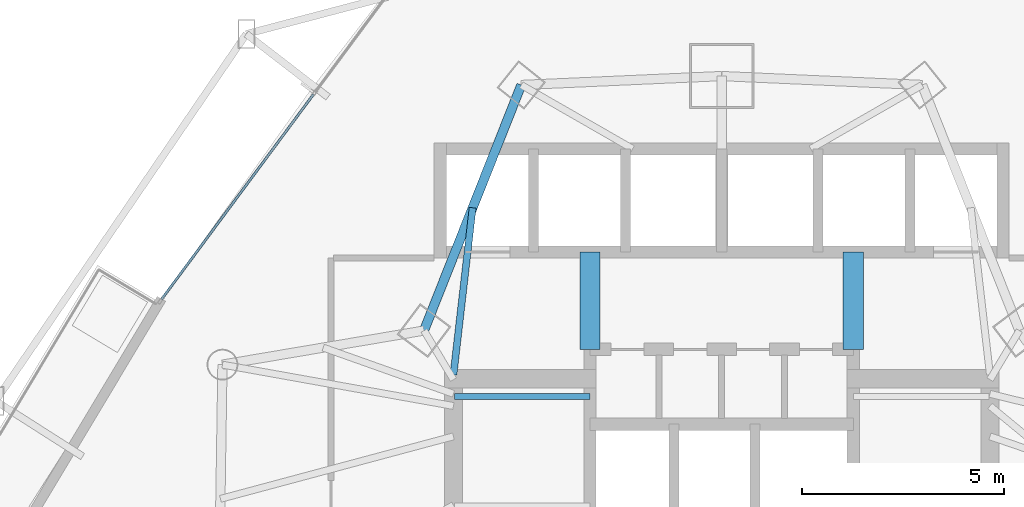
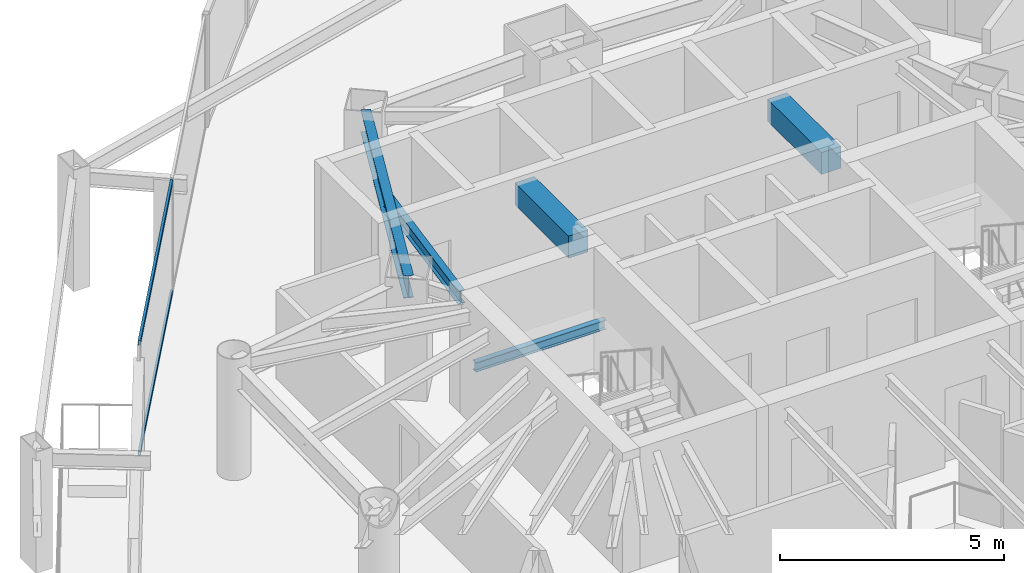
# One storey, part 24 of 38: 5 beams, 2 members, 1 element without a shape of its own.
"""IFC4 building model written with IfcOpenShell, lengths in metres."""

import ifcopenshell
import ifcopenshell.guid

model = None  # the IFC model being written
_history = None  # IfcOwnerHistory: only IFC2X3 demands one
_inside = {}  # id of a spatial element -> (the spatial element, [elements in it])
_under = {}  # id of a project, library or spatial element -> (it, [spatial elements below it])
_declared = {}  # id of a project -> (the project, [libraries it declares])
_typed = {}  # id of a type object -> (the type object, [elements of that type])
_made_of = {}  # id of a material, layer set ... -> (it, [elements and type objects made of it])


def new_model(schema):
    """Start an empty IFC model of exactly this schema.

    Asked for "IFC4X3", IfcOpenShell would pick the latest addendum, in which some entities
    have other attributes; the version numbers below select the first issue.
    IFC2X3 requires an IfcOwnerHistory on every rooted entity: one is made here for all.
    """
    global model, _history
    if schema == "IFC4X3":
        model = ifcopenshell.file(schema_version=(4, 3, 0, 0))
    else:
        model = ifcopenshell.file(schema=schema)
    _inside.clear()
    _under.clear()
    _declared.clear()
    _typed.clear()
    _made_of.clear()
    _history = None
    if model.schema == "IFC2X3":
        org = make("IfcOrganization", Name="unknown")
        user = make(
            "IfcPersonAndOrganization",
            ThePerson=make("IfcPerson", FamilyName="unknown"),
            TheOrganization=org,
        )
        app = make(
            "IfcApplication",
            ApplicationDeveloper=org,
            Version="unknown",
            ApplicationFullName="unknown",
            ApplicationIdentifier="unknown",
        )
        _history = make(
            "IfcOwnerHistory",
            OwningUser=user,
            OwningApplication=app,
            ChangeAction="ADDED",
            CreationDate=0,
        )
    return model


def make(cls, **values):
    """One entity of the class cls with the attributes given. An attribute that is None is left unset."""
    return model.create_entity(
        cls, **{name: value for name, value in values.items() if value is not None}
    )


def rooted(cls, **values):
    """An entity with a GlobalId (a new one), such as an element, a storey or a relation."""
    return make(cls, GlobalId=ifcopenshell.guid.new(), OwnerHistory=_history, **values)


def si_unit(unit_type, name, prefix=None):
    """IfcSIUnit, for example si_unit("LENGTHUNIT", "METRE", prefix="MILLI")."""
    return make("IfcSIUnit", UnitType=unit_type, Prefix=prefix, Name=name)


def assignment(units):
    """IfcUnitAssignment: the units of a project."""
    return None if units is None else make("IfcUnitAssignment", Units=units)


def point(xyz):
    """IfcCartesianPoint."""
    return None if xyz is None else make("IfcCartesianPoint", Coordinates=xyz)


def direction(xyz):
    """IfcDirection."""
    return None if xyz is None else make("IfcDirection", DirectionRatios=xyz)


def frame(location, z_axis=None, x_axis=None):
    """IfcAxis2Placement3D, a coordinate frame: its origin and axes. An axis left out is left unset."""
    return make(
        "IfcAxis2Placement3D",
        Location=point(location),
        Axis=direction(z_axis),
        RefDirection=direction(x_axis),
    )


def frame_2d(location, x_axis=None):
    """IfcAxis2Placement2D, a coordinate frame in the plane: its origin and x axis."""
    return make(
        "IfcAxis2Placement2D", Location=point(location), RefDirection=direction(x_axis)
    )


def origin():
    """The frame at (0, 0, 0) with its axes left unset."""
    return frame((0.0, 0.0, 0.0))


def origin_2d():
    """The frame at (0, 0) in the plane with its x axis left unset."""
    return frame_2d((0.0, 0.0))


def place(relative_to, where):
    """IfcLocalPlacement: puts the frame where relative to a parent placement (None: the world)."""
    return make(
        "IfcLocalPlacement", PlacementRelTo=relative_to, RelativePlacement=where
    )


def context(
    kind, dimensions, precision=None, world=None, true_north=None, identifier=None
):
    """IfcGeometricRepresentationContext, for example the 3D "Model" context."""
    return make(
        "IfcGeometricRepresentationContext",
        ContextIdentifier=identifier,
        ContextType=kind,
        CoordinateSpaceDimension=dimensions,
        Precision=precision,
        WorldCoordinateSystem=world,
        TrueNorth=true_north,
    )


def subcontext(parent, identifier, kind, view, scale=None):
    """IfcGeometricRepresentationSubContext, for example "Body" below "Model"."""
    return make(
        "IfcGeometricRepresentationSubContext",
        ContextIdentifier=identifier,
        ContextType=kind,
        ParentContext=parent,
        TargetScale=scale,
        TargetView=view,
    )


def project(units=None, contexts=None):
    """IfcProject with its units and contexts."""
    return rooted(
        "IfcProject",
        Name="project",
        RepresentationContexts=contexts,
        UnitsInContext=assignment(units),
    )


def spatial(cls, under=None, at=None, **own):
    """A site, building, storey or space (cls), placed at a placement, below another one or the project."""
    s = rooted(cls, ObjectPlacement=at, **own)
    if under is not None:
        _under.setdefault(under.id(), (under, []))[1].append(s)
    return s


def profile(cls, at=None, kind="AREA", **sizes):
    """A parametric profile (cls). Its sizes go by their IFC names, for example OverallWidth=200.0."""
    return make(cls, ProfileType=kind, Position=at, **sizes)


def rectangle(**sizes):
    """IfcRectangleProfileDef."""
    return profile("IfcRectangleProfileDef", **sizes)


def hollow_rectangle(**sizes):
    """IfcRectangleHollowProfileDef."""
    return profile("IfcRectangleHollowProfileDef", **sizes)


def i_section(**sizes):
    """IfcIShapeProfileDef."""
    return profile("IfcIShapeProfileDef", **sizes)


def extrude(swept, where, along, depth):
    """IfcExtrudedAreaSolid: the profile swept, set in the frame where, extruded along a direction by depth."""
    return make(
        "IfcExtrudedAreaSolid",
        SweptArea=swept,
        Position=where,
        ExtrudedDirection=direction(along),
        Depth=depth,
    )


def shape(context_of_items, identifier, shape_type, items):
    """IfcShapeRepresentation: the items that make up one representation, for example the "Body"."""
    return make(
        "IfcShapeRepresentation",
        ContextOfItems=context_of_items,
        RepresentationIdentifier=identifier,
        RepresentationType=shape_type,
        Items=items,
    )


def material(Name=None, Category=None):
    """IfcMaterial."""
    return make("IfcMaterial", Name=Name, Category=Category)


def layer(
    of_material, thickness, ventilated=None, Name=None, Category=None, Priority=None
):
    """IfcMaterialLayer: one layer of a wall or slab, of a material (None: an air gap)."""
    return make(
        "IfcMaterialLayer",
        Material=of_material,
        LayerThickness=thickness,
        IsVentilated=ventilated,
        Name=Name,
        Category=Category,
        Priority=Priority,
    )


def layer_set(layers, Name=None):
    """IfcMaterialLayerSet."""
    return make("IfcMaterialLayerSet", MaterialLayers=layers, LayerSetName=Name)


def material_profile(
    of_material, cross_section, Name=None, Category=None, Priority=None
):
    """IfcMaterialProfile: a cross section and its material."""
    return make(
        "IfcMaterialProfile",
        Name=Name,
        Material=of_material,
        Profile=cross_section,
        Priority=Priority,
        Category=Category,
    )


def profile_set(profiles, Name=None, composite=None):
    """IfcMaterialProfileSet."""
    return make(
        "IfcMaterialProfileSet",
        Name=Name,
        MaterialProfiles=profiles,
        CompositeProfile=composite,
    )


def made_of(thing, what):
    """Note that an element or type object is made of a material, layer set ...; save() writes the relation."""
    if what is not None:
        _made_of.setdefault(what.id(), (what, []))[1].append(thing)
    return thing


def type_object(cls, material=None, **own):
    """A type object (cls), such as IfcWallType, which elements share."""
    return made_of(rooted(cls, **own), material)


def element(
    cls,
    number,
    at=None,
    inside=None,
    cuts=None,
    type_object=None,
    material=None,
    context=None,
    identifier="Body",
    shape_type=None,
    held_by="IfcProductDefinitionShape",
    body=None,
    shapes=None,
    **own,
):
    """One element of the class cls, such as IfcWall. Its Tag is "e" and its number.

    at: its placement. inside: the storey or other place that contains it. cuts: it is an
    opening in that element (IfcRelVoidsElement). A single representation is given by context,
    identifier, shape_type and body (its items); several are given by shapes. held_by: the class
    of the entity that holds the representations. save() writes the other relations.
    """
    e = rooted(cls, Tag="e%d" % number, ObjectPlacement=at, **own)
    if body is not None:
        shapes = [shape(context, identifier, shape_type, body)]
    if shapes is not None:
        e.Representation = make(held_by, Representations=shapes)
    if inside is not None:
        _inside.setdefault(inside.id(), (inside, []))[1].append(e)
    if cuts is not None:
        rooted(
            "IfcRelVoidsElement", RelatingBuildingElement=cuts, RelatedOpeningElement=e
        )
    if type_object is not None:
        _typed.setdefault(type_object.id(), (type_object, []))[1].append(e)
    return made_of(e, material)


def aggregate(whole, parts):
    """IfcRelAggregates: a whole, such as a stair, and the parts it consists of."""
    return rooted("IfcRelAggregates", RelatingObject=whole, RelatedObjects=parts)


def save(model, path):
    """Write the relations noted so far, then the file.

    IfcRelAggregates (storeys below a building ...), IfcRelContainedInSpatialStructure (elements
    in a storey), IfcRelDefinesByType, IfcRelAssociatesMaterial and IfcRelDeclares: one each for
    every whole, place, type object, material and project.
    """
    for whole, parts in _under.values():
        aggregate(whole, parts)
    for where, things in _inside.values():
        rooted(
            "IfcRelContainedInSpatialStructure",
            RelatedElements=things,
            RelatingStructure=where,
        )
    for kind, things in _typed.values():
        rooted("IfcRelDefinesByType", RelatedObjects=things, RelatingType=kind)
    for what, things in _made_of.values():
        rooted("IfcRelAssociatesMaterial", RelatedObjects=things, RelatingMaterial=what)
    for by, libraries in _declared.values():
        rooted("IfcRelDeclares", RelatingContext=by, RelatedDefinitions=libraries)
    model.write(path)


model = new_model("IFC4")

# Units and contexts
model_context = context("Model", 3, precision=1e-05, world=origin(), true_north=direction((0.0, 1.0)))
body_context = subcontext(model_context, "Body", "Model", "MODEL_VIEW")
ifc_project = project(units=[si_unit("LENGTHUNIT", "METRE"), si_unit("AREAUNIT", "SQUARE_METRE"), si_unit("VOLUMEUNIT", "CUBIC_METRE"), si_unit("PLANEANGLEUNIT", "RADIAN"), si_unit("MASSUNIT", "GRAM", prefix="KILO")], contexts=[model_context])

# Site, building, storey
site_placement = place(None, origin())
site = spatial("IfcSite", under=ifc_project, at=site_placement, CompositionType="ELEMENT")
building_placement = place(site_placement, origin())
building = spatial("IfcBuilding", under=site, at=building_placement, Name="Orvanel Arch Residences", CompositionType="ELEMENT")
storey_placement = place(building_placement, frame((0.0, 0.0, 43.39990234375)))
storey = spatial("IfcBuildingStorey", under=building, at=storey_placement, Name="L11", CompositionType="ELEMENT", Elevation=43.39990234375)

# Beams
ifc_material_1 = material(Name="Structural steel AS/NZS 3679.1 Grade 300 (300 MPa)", Category="steel")
ifc_material_profile_1 = material_profile(ifc_material_1, i_section(OverallWidth=0.14599609375, OverallDepth=0.251953125, WebThickness=0.006103515625, FlangeThickness=0.008544921875, at=origin_2d()), Name="250UB31.4")
ifc_profile_set_1 = profile_set([ifc_material_profile_1], Name="Structural steel AS/NZS 3679.1 Grade 300 (300 MPa)")
beam_type_1 = type_object("IfcBeamType", Name="BJ-250UB", PredefinedType="JOIST", material=ifc_profile_set_1)
beam_1_placement = place(storey_placement, frame((26.39990234375, 33.47998046875, 1.32421875), z_axis=(1.0, 0.0, 0.0), x_axis=(0.0, 1.0, 0.0)))
element("IfcBeam", 1, at=beam_1_placement, inside=storey, type_object=beam_type_1, Name="L11 ST-1 Half-Landing Support Beam 1.2", PredefinedType="JOIST", context=body_context, shape_type="SweptSolid", body=[
    extrude(i_section(OverallWidth=0.14599609375, OverallDepth=0.251953125, WebThickness=0.006103515625, FlangeThickness=0.008544921875, at=origin_2d()), origin(), (0.0, 0.0, 1.0), 3.35009765625),
])
ifc_material_profile_2 = material_profile(ifc_material_1, i_section(OverallWidth=0.1708984375, OverallDepth=0.35595703125, WebThickness=0.00732421875, FlangeThickness=0.011474609375, at=origin_2d()), Name="360UB50.7")
ifc_profile_set_2 = profile_set([ifc_material_profile_2], Name="Structural steel AS/NZS 3679.1 Grade 300 (300 MPa)")
beam_type_2 = type_object("IfcBeamType", Name="BJ-360UB", PredefinedType="JOIST", material=ifc_profile_set_2)
beam_2_placement = place(storey_placement, frame((26.375, 34.02001953125, 2.882080078125), z_axis=(0.114186670431, 0.993459311847, 0.0), x_axis=(-0.993459311847, 0.114186670431, 0.0)))
element("IfcBeam", 2, at=beam_2_placement, inside=storey, type_object=beam_type_2, Name="L11 NNW2 Wing Floor Joist", PredefinedType="JOIST", context=body_context, shape_type="SweptSolid", body=[
    extrude(i_section(OverallWidth=0.1708984375, OverallDepth=0.35595703125, WebThickness=0.00732421875, FlangeThickness=0.011474609375, at=origin_2d()), origin(), (0.0, 0.0, 1.0), 4.152099609375),
])
ifc_material_2 = material(Name="Concrete S65 (65 MPa)", Category="concrete")
ifc_material_profile_3 = material_profile(ifc_material_2, rectangle(XDim=0.5, YDim=0.60009765625, at=origin_2d()), Name="RC500x600")
ifc_profile_set_3 = profile_set([ifc_material_profile_3], Name="Concrete S65 (65 MPa)")
beam_type_3 = type_object("IfcBeamType", Name="CB-500x600", PredefinedType="LINTEL", material=ifc_profile_set_3)
for number, where, z_axis, x_axis, name in (
    (3, (29.75, 34.64990234375, 2.760009765625), (0.0, 1.0, 0.0), (-1.0, 0.0, 0.0), "L11 West Core Lobby Coupling Lintel Beam"),
    (4, (36.25, 34.64990234375, 2.760009765625), (0.0, 1.0, 0.0), (-1.0, 0.0, 0.0), "L11 East Core Lobby Coupling Lintel Beam"),
):
    element("IfcBeam", number, at=place(storey_placement, frame(where, z_axis=z_axis, x_axis=x_axis)), inside=storey, type_object=beam_type_3, Name=name, PredefinedType="LINTEL", context=body_context, shape_type="SweptSolid", body=[
        extrude(rectangle(XDim=0.5, YDim=0.60009765625, at=origin_2d()), origin(), (0.0, 0.0, 1.0), 2.400146484375),
    ])
ifc_material_profile_4 = material_profile(ifc_material_1, i_section(OverallWidth=0.22900390625, OverallDepth=0.612060546875, WebThickness=0.011962890625, FlangeThickness=0.01953125, at=origin_2d()), Name="610UB125")
ifc_profile_set_4 = profile_set([ifc_material_profile_4], Name="Structural steel AS/NZS 3679.1 Grade 300 (300 MPa)")
beam_type_4 = type_object("IfcBeamType", Name="SP-610UB", PredefinedType="SPANDREL", material=ifc_profile_set_4)
beam_3_placement = place(storey_placement, frame((28.050048828125, 41.177978515625, 2.754150390625), z_axis=(-0.368233143579, -0.929733484376, 0.0), x_axis=(0.929733484376, -0.368233143579, 0.0)))
element("IfcBeam", 5, at=beam_3_placement, inside=storey, type_object=beam_type_4, Name="L11 Perimeter Spandrel Beam 18", PredefinedType="SPANDREL", context=body_context, shape_type="SweptSolid", body=[
    extrude(i_section(OverallWidth=0.22900390625, OverallDepth=0.612060546875, WebThickness=0.011962890625, FlangeThickness=0.01953125, at=origin_2d()), origin(), (0.0, 0.0, 1.0), 6.523193359375),
])

# Curtain wall, members
ifc_material_3 = material(Name="Bronze-anodised aluminium AA6063-T6", Category="aluminium")
ifc_layer = layer(ifc_material_3, 0.179931640625)
ifc_layer_set = layer_set([ifc_layer], Name="Bronze-anodised aluminium AA6063-T6")
curtain_wall_type = type_object("IfcCurtainWallType", Name="CW2-LOW-SYS", PredefinedType="NOTDEFINED", material=ifc_layer_set)
curtain_wall_placement = place(storey_placement, origin())
curtain_wall = element("IfcCurtainWall", 6, at=curtain_wall_placement, inside=storey, type_object=curtain_wall_type, Name="L11 CW2-LOW-SYS Unitised Curtain Wall", PredefinedType="NOTDEFINED")
ifc_material_profile_5 = material_profile(ifc_material_3, hollow_rectangle(XDim=0.06005859375, YDim=0.135009765625, WallThickness=0.00390625, at=origin_2d()), Name="ALU135x60x4")
ifc_profile_set_5 = profile_set([ifc_material_profile_5], Name="Bronze-anodised aluminium AA6063-T6")
member_type = type_object("IfcMemberType", Name="TRN-135x60", PredefinedType="USERDEFINED", material=ifc_profile_set_5)
member_1_placement = place(storey_placement, frame((22.918701171875, 40.947265625, 0.030029296875), z_axis=(-0.595490625908, -0.803362256056, 0.0), x_axis=(0.803362256056, -0.595490625908, 0.0)))
member_1 = element("IfcMember", 7, at=member_1_placement, type_object=member_type, Name="CW-S2 transom 2.1", ObjectType="TRANSOM", PredefinedType="USERDEFINED", context=body_context, shape_type="SweptSolid", body=[
    extrude(hollow_rectangle(XDim=0.06005859375, YDim=0.135009765625, WallThickness=0.00390625, at=origin_2d()), origin(), (0.0, 0.0, 1.0), 6.30224609375),
])
member_2_placement = place(storey_placement, frame((22.918701171875, 40.947265625, 3.030029296875), z_axis=(-0.595490625908, -0.803362256056, 0.0), x_axis=(0.803362256056, -0.595490625908, 0.0)))
member_2 = element("IfcMember", 8, at=member_2_placement, type_object=member_type, Name="CW-S2 transom 2.2", ObjectType="TRANSOM", PredefinedType="USERDEFINED", context=body_context, shape_type="SweptSolid", body=[
    extrude(hollow_rectangle(XDim=0.06005859375, YDim=0.135009765625, WallThickness=0.00390625, at=origin_2d()), origin(), (0.0, 0.0, 1.0), 6.30224609375),
])
aggregate(curtain_wall, [member_1, member_2])

save(model, "model.ifc")
